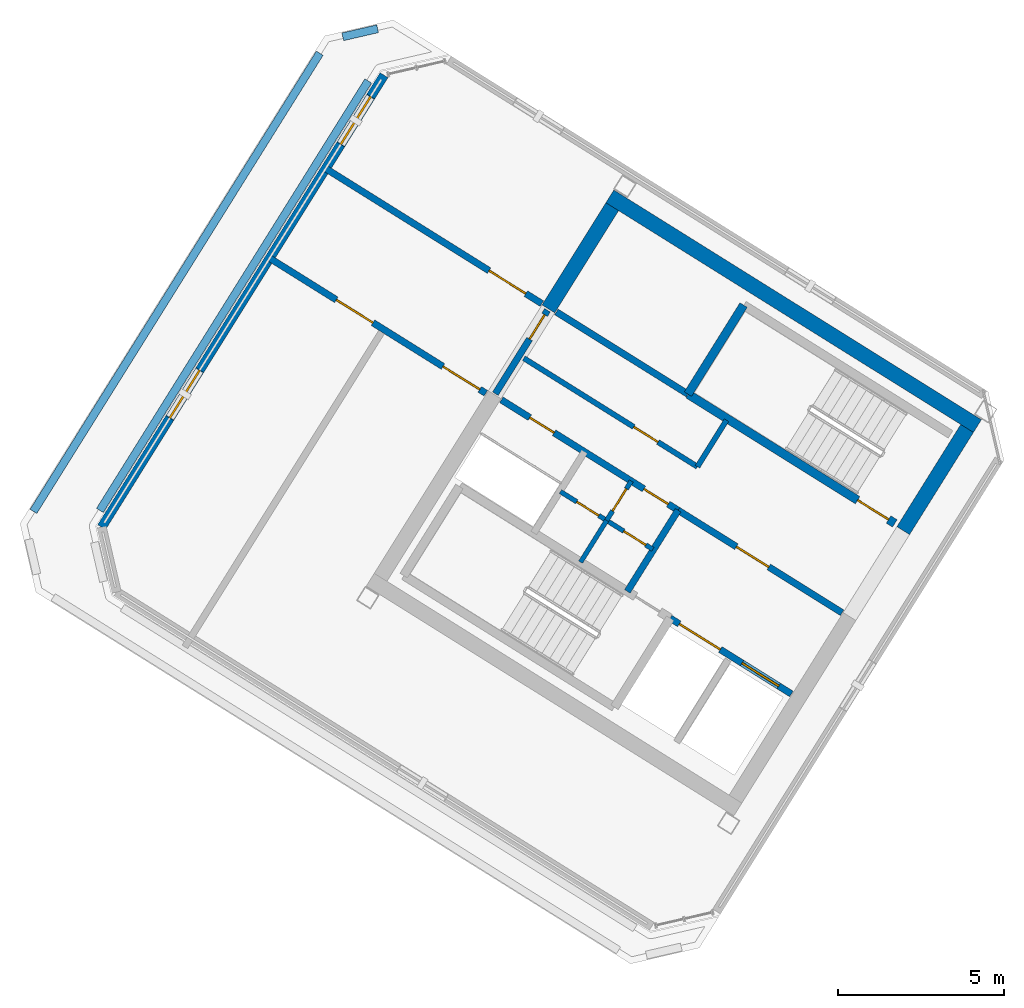
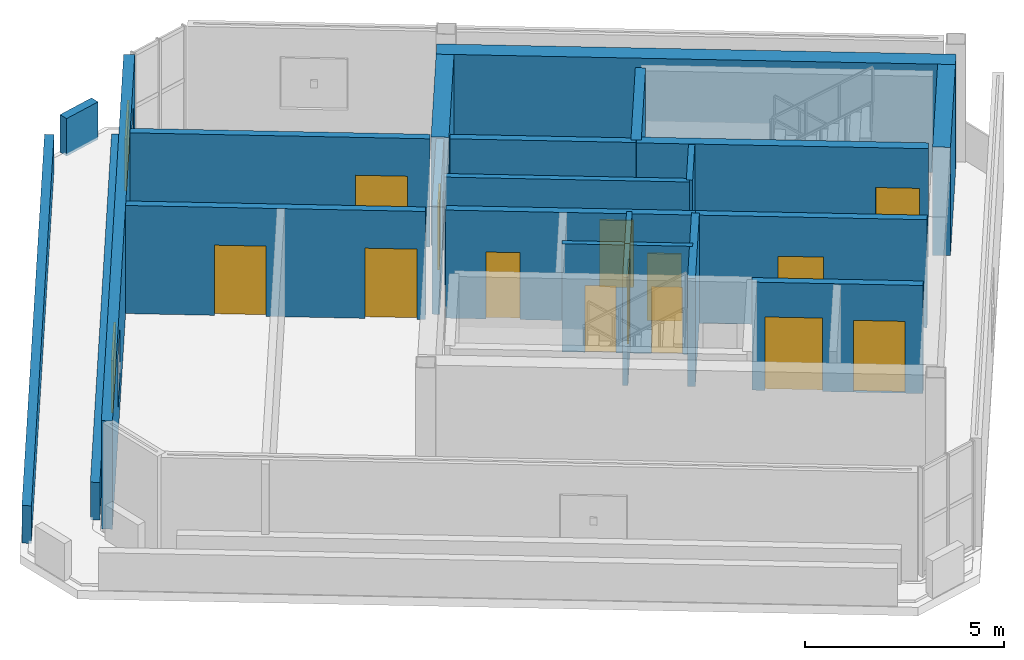
# One storey, part 5 of 9: 22 walls, 14 doors, 2 windows, 16 openings.
"""IFC4 building model written with IfcOpenShell, lengths in metres."""

from ifc_helpers import new_model, si_unit, direction, frame, frame_2d, origin, place, context, subcontext, project, spatial, rectangle, extrude, source, transform, mapped, material, layer, layer_set, type_object, element, fill, save


model = new_model("IFC4")

# Units and contexts
model_context = context("Model", 3, precision=1e-05, world=origin(), true_north=direction((0.0, 1.0)))
body_context = subcontext(model_context, "Body", "Model", "MODEL_VIEW")
ifc_project = project(units=[si_unit("LENGTHUNIT", "METRE"), si_unit("AREAUNIT", "SQUARE_METRE"), si_unit("VOLUMEUNIT", "CUBIC_METRE"), si_unit("PLANEANGLEUNIT", "RADIAN"), si_unit("MASSUNIT", "GRAM", prefix="KILO")], contexts=[model_context])

# Site, building, storey
site_placement = place(None, origin())
site = spatial("IfcSite", under=ifc_project, at=site_placement, CompositionType="ELEMENT")
building_placement = place(site_placement, origin())
building = spatial("IfcBuilding", under=site, at=building_placement, Name="Tlacorven Tower", CompositionType="ELEMENT")
storey_placement = place(building_placement, frame((0.0, 0.0, 306.0)))
storey = spatial("IfcBuildingStorey", under=building, at=storey_placement, Name="L78", CompositionType="ELEMENT", Elevation=306.0)

# Walls
ifc_material_1 = material(Name="Concrete C50/60", Category="concrete")
ifc_layer_1 = layer(ifc_material_1, 0.449951171875)
ifc_layer_set_1 = layer_set([ifc_layer_1], Name="Concrete C50/60")
wall_type_1 = type_object("IfcWallType", Name="WL-COR-450", PredefinedType="SHEAR", material=ifc_layer_set_1)
wall_1_placement = place(storey_placement, frame((40.53076171875, 24.036376953125, 0.0), z_axis=(0.0, 0.0, 1.0), x_axis=(-0.848048787466, 0.529918157905, 0.0)))
element("IfcWall", 1, at=wall_1_placement, inside=storey, type_object=wall_type_1, Name="L78 W core shear wall S1", PredefinedType="SHEAR", context=body_context, shape_type="SweptSolid", body=[
    extrude(rectangle(XDim=13.0400390625, YDim=0.449951171875, at=frame_2d((6.52001953125, 0.0))), origin(), (0.0, 0.0, 1.0), 3.320068359375),
])
for number, where, z_axis, x_axis, name in (
    (2, (40.220703125, 23.96484375, 0.0), (0.0, 0.0, 1.0), (-0.529902075036, -0.848058836916, 0.0), "L78 W core end wall E1.1"),
    (3, (29.543701171875, 30.636474609375, 0.0), (0.0, 0.0, 1.0), (-0.529902075036, -0.848058836916, 0.0), "L78 W core end wall E2.1"),
):
    element("IfcWall", number, at=place(storey_placement, frame(where, z_axis=z_axis, x_axis=x_axis)), inside=storey, type_object=wall_type_1, Name=name, PredefinedType="SHEAR", context=body_context, shape_type="SweptSolid", body=[
        extrude(rectangle(XDim=3.625, YDim=0.449951171875, at=frame_2d((1.8125, 0.0))), origin(), (0.0, 0.0, 1.0), 3.320068359375),
    ])

# Wall, opening, door
ifc_material_2 = material(Name="Gypsum plasterboard acoustic partition", Category="gypsum")
ifc_layer_2 = layer(ifc_material_2, 0.159912109375)
ifc_layer_set_2 = layer_set([ifc_layer_2], Name="Gypsum plasterboard acoustic partition")
wall_type_2 = type_object("IfcWallType", Name="WL-DEM-160", PredefinedType="PARTITIONING", material=ifc_layer_set_2)
wall_2_placement = place(storey_placement, frame((32.108154296875, 22.81396484375, 0.0), z_axis=(0.0, 0.0, 1.0), x_axis=(-0.848047283855, 0.529920564185, 0.0)))
wall_2 = element("IfcWall", 4, at=wall_2_placement, inside=storey, type_object=wall_type_2, Name="L78 partition 11", PredefinedType="PARTITIONING", context=body_context, shape_type="SweptSolid", body=[
    extrude(rectangle(XDim=6.16015625, YDim=0.159912109375, at=frame_2d((3.080078125, 0.0))), origin(), (0.0, 0.0, 1.0), 3.31005859375),
])
opening_1_placement = place(wall_2_placement, frame((1.39990234375, 0.0, 0.0)))
opening_1 = element("IfcOpeningElement", 5, at=opening_1_placement, cuts=wall_2, Name="Opening D19", PredefinedType="OPENING", context=body_context, shape_type="SweptSolid", body=[
    extrude(rectangle(XDim=0.860107421875, YDim=2.050048828125, at=frame_2d((0.43017578125, 1.02490234375))), frame((0.0, 0.08984375, 0.0), z_axis=(0.0, -1.0, 0.0), x_axis=(1.0, 0.0, 0.0)), (0.0, 0.0, 1.0), 0.179931640625),
])
ifc_material_3 = material(Name="Fire-rated steel door assembly", Category="steel")
door_type_1 = type_object("IfcDoorType", Name="DR-RSR-FD60-0860", OperationType="NOTDEFINED", PredefinedType="DOOR", material=ifc_material_3)
shared_shape_1 = source(origin(), body_context, "Body", "SweptSolid", [
    extrude(rectangle(XDim=0.860107421875, YDim=2.050048828125, at=frame_2d((0.43017578125, 1.02490234375))), frame((0.0, 0.02490234375, 0.0), z_axis=(0.0, -1.0, 0.0), x_axis=(1.0, 0.0, 0.0)), (0.0, 0.0, 1.0), 0.050048828125),
])
door_1_placement = place(opening_1_placement, origin())
door_1 = element("IfcDoor", 6, at=door_1_placement, inside=storey, type_object=door_type_1, Name="L78 Freed Core Store Door", OperationType="SINGLE_SWING_LEFT", OverallHeight=2.050048828125, OverallWidth=0.860107421875, PredefinedType="DOOR", context=body_context, shape_type="MappedRepresentation", body=[
    mapped(shared_shape_1, transform((0.0, 0.0, 0.0), scale=1.0)),
])
fill(opening_1, door_1)

# Wall
wall_3_placement = place(storey_placement, frame((32.982421875, 24.21337890625, 0.0), z_axis=(0.0, 0.0, 1.0), x_axis=(-0.529839334948, -0.84809803628, 0.0)))
element("IfcWall", 7, at=wall_3_placement, inside=storey, type_object=wall_type_2, Name="L78 partition 12", PredefinedType="PARTITIONING", context=body_context, shape_type="SweptSolid", body=[
    extrude(rectangle(XDim=1.650146484375, YDim=0.159912109375, at=frame_2d((0.8251953125, 0.0))), origin(), (0.0, 0.0, 1.0), 3.31005859375),
])

# Wall, openings, windows
ifc_material_4 = material(Name="Precast concrete C45/55", Category="concrete")
ifc_layer_3 = layer(ifc_material_4, 0.280029296875)
ifc_layer_set_3 = layer_set([ifc_layer_3], Name="Precast concrete C45/55")
wall_type_3 = type_object("IfcWallType", Name="WL-EXT-280", PredefinedType="STANDARD", material=ifc_layer_set_3)
wall_4_placement = place(storey_placement, frame((14.180419921875, 20.995849609375, 0.0), z_axis=(0.0, 0.0, 1.0), x_axis=(0.529922292894, 0.848046203632, 0.0)))
wall_4 = element("IfcWall", 8, at=wall_4_placement, inside=storey, type_object=wall_type_3, Name="L78 Masonry-Frame Recessed Facade Wall 4", PredefinedType="STANDARD", context=body_context, shape_type="SweptSolid", body=[
    extrude(rectangle(XDim=16.0341796875, YDim=0.280029296875, at=frame_2d((8.01708984375, 0.0))), origin(), (0.0, 0.0, 1.0), 3.320068359375),
])
opening_2_placement = place(wall_4_placement, frame((3.87109375, 0.0, 0.85009765625)))
opening_2 = element("IfcOpeningElement", 9, at=opening_2_placement, cuts=wall_4, Name="Opening WN19", PredefinedType="OPENING", context=body_context, shape_type="SweptSolid", body=[
    extrude(rectangle(XDim=1.699951171875, YDim=1.60009765625, at=frame_2d((0.85009765625, 0.800048828125))), frame((0.0, 0.14990234375, 0.0), z_axis=(0.0, -1.0, 0.0), x_axis=(1.0, 0.0, 0.0)), (0.0, 0.0, 1.0), 0.300048828125),
])
opening_3_placement = place(wall_4_placement, frame((13.577880859375, 0.0, 0.85009765625)))
opening_3 = element("IfcOpeningElement", 10, at=opening_3_placement, cuts=wall_4, Name="Opening WN19", PredefinedType="OPENING", context=body_context, shape_type="SweptSolid", body=[
    extrude(rectangle(XDim=1.699951171875, YDim=1.60009765625, at=frame_2d((0.85009765625, 0.800048828125))), frame((0.0, 0.14990234375, 0.0), z_axis=(0.0, -1.0, 0.0), x_axis=(1.0, 0.0, 0.0)), (0.0, 0.0, 1.0), 0.300048828125),
])
ifc_material_5 = material(Name="Dark solar low-E double glazing in anodised aluminium frame", Category="aluminium")
window_type = type_object("IfcWindowType", Name="WN-CRN-1700X1800", PartitioningType="SINGLE_PANEL", PredefinedType="WINDOW", material=ifc_material_5)
shared_shape_2 = source(origin(), body_context, "Body", "SweptSolid", [
    extrude(rectangle(XDim=1.699951171875, YDim=1.60009765625, at=frame_2d((0.85009765625, 0.800048828125))), frame((0.0, 0.030029296875, 0.0), z_axis=(0.0, -1.0, 0.0), x_axis=(1.0, 0.0, 0.0)), (0.0, 0.0, 1.0), 0.06005859375),
])
window_1_placement = place(opening_2_placement, origin())
window_1 = element("IfcWindow", 11, at=window_1_placement, inside=storey, type_object=window_type, Name="L78 Acoustic Plant Facade Window 4.1", OverallHeight=1.60009765625, OverallWidth=1.699951171875, PartitioningType="SINGLE_PANEL", PredefinedType="WINDOW", context=body_context, shape_type="MappedRepresentation", body=[
    mapped(shared_shape_2, transform((0.0, 0.0, 0.0), scale=1.0)),
])
fill(opening_2, window_1)
window_2_placement = place(opening_3_placement, origin())
window_2 = element("IfcWindow", 12, at=window_2_placement, inside=storey, type_object=window_type, Name="L78 Acoustic Plant Facade Window 4.2", OverallHeight=1.60009765625, OverallWidth=1.699951171875, PartitioningType="SINGLE_PANEL", PredefinedType="WINDOW", context=body_context, shape_type="MappedRepresentation", body=[
    mapped(shared_shape_2, transform((0.0, 0.0, 0.0), scale=1.0)),
])
fill(opening_3, window_2)

# Walls
ifc_layer_4 = layer(ifc_material_4, 0.239990234375)
ifc_layer_set_4 = layer_set([ifc_layer_4], Name="Precast concrete C45/55")
wall_type_4 = type_object("IfcWallType", Name="WL-PAR-240", PredefinedType="PARAPET", material=ifc_layer_set_4)
wall_5_placement = place(storey_placement, frame((12.12939453125, 21.46875, 0.0), z_axis=(0.0, 0.0, 1.0), x_axis=(0.529920637882, 0.848047237804, 0.0)))
element("IfcWall", 13, at=wall_5_placement, inside=storey, type_object=wall_type_4, Name="L78 Stepped Crown Terrace Parapet 1 4", PredefinedType="PARAPET", context=body_context, shape_type="SweptSolid", body=[
    extrude(rectangle(XDim=16.255859375, YDim=0.239990234375, at=frame_2d((8.1279296875, 0.0))), origin(), (0.0, 0.0, 1.0), 1.14990234375),
])
wall_6_placement = place(storey_placement, frame((21.435546875, 35.748046875, 0.0), z_axis=(0.0, 0.0, 1.0), x_axis=(0.974395015602, 0.224842953123, 0.0)))
element("IfcWall", 14, at=wall_6_placement, inside=storey, type_object=wall_type_4, Name="L78 Stepped Crown Terrace Parapet 1 5", PredefinedType="PARAPET", context=body_context, shape_type="SweptSolid", body=[
    extrude(rectangle(XDim=1.0771484375, YDim=0.239990234375, at=frame_2d((0.53857421875, 0.0))), origin(), (0.0, 0.0, 1.0), 1.14990234375),
])
wall_7_placement = place(storey_placement, frame((22.203369140625, 34.419921875, 0.0), z_axis=(0.0, 0.0, 1.0), x_axis=(-0.529922606747, -0.848046007513, 0.0)))
element("IfcWall", 15, at=wall_7_placement, inside=storey, type_object=wall_type_4, Name="L78 Stepped Crown Terrace Parapet 1 6", PredefinedType="PARAPET", context=body_context, shape_type="SweptSolid", body=[
    extrude(rectangle(XDim=15.237548828125, YDim=0.239990234375, at=frame_2d((7.61865234375, 0.0))), origin(), (0.0, 0.0, 1.0), 1.14990234375),
])

# Wall, opening, door
ifc_material_6 = material(Name="Moisture-resistant gypsum plumbing wall", Category="gypsum")
ifc_layer_5 = layer(ifc_material_6, 0.139892578125)
ifc_layer_set_5 = layer_set([ifc_layer_5], Name="Moisture-resistant gypsum plumbing wall")
wall_type_5 = type_object("IfcWallType", Name="WL-PLM-140", PredefinedType="PLUMBINGWALL", material=ifc_layer_set_5)
wall_8_placement = place(storey_placement, frame((30.117431640625, 22.383544921875, 0.0), z_axis=(0.0, 0.0, 1.0), x_axis=(-0.529951914384, -0.848027693204, 0.0)))
wall_8 = element("IfcWall", 16, at=wall_8_placement, inside=storey, type_object=wall_type_5, Name="L78 partition 17", PredefinedType="PLUMBINGWALL", context=body_context, shape_type="SweptSolid", body=[
    extrude(rectangle(XDim=1.39990234375, YDim=0.139892578125, at=frame_2d((0.699951171875, 0.0))), origin(), (0.0, 0.0, 1.0), 3.31005859375),
])
opening_4_placement = place(wall_8_placement, frame((0.280029296875, 0.0, 0.0)))
opening_4 = element("IfcOpeningElement", 17, at=opening_4_placement, cuts=wall_8, Name="Opening D22", PredefinedType="OPENING", context=body_context, shape_type="SweptSolid", body=[
    extrude(rectangle(XDim=0.780029296875, YDim=2.050048828125, at=frame_2d((0.39013671875, 1.02490234375))), frame((0.0, 0.080078125, 0.0), z_axis=(0.0, -1.0, 0.0), x_axis=(1.0, 0.0, 0.0)), (0.0, 0.0, 1.0), 0.159912109375),
])
ifc_material_7 = material(Name="Powder-coated aluminium and timber door", Category="wood")
door_type_2 = type_object("IfcDoorType", Name="DR-INT-WET-0780", OperationType="NOTDEFINED", PredefinedType="DOOR", material=ifc_material_7)
shared_shape_3 = source(origin(), body_context, "Body", "SweptSolid", [
    extrude(rectangle(XDim=0.780029296875, YDim=2.050048828125, at=frame_2d((0.39013671875, 1.02490234375))), frame((0.0, 0.02490234375, 0.0), z_axis=(0.0, -1.0, 0.0), x_axis=(1.0, 0.0, 0.0)), (0.0, 0.0, 1.0), 0.050048828125),
])
door_2_placement = place(opening_4_placement, origin())
door_2 = element("IfcDoor", 18, at=door_2_placement, inside=storey, type_object=door_type_2, Name="L78 door 009", OperationType="SINGLE_SWING_RIGHT", OverallHeight=2.050048828125, OverallWidth=0.780029296875, PredefinedType="DOOR", context=body_context, shape_type="MappedRepresentation", body=[
    mapped(shared_shape_3, transform((0.0, 0.0, 0.0), scale=1.0)),
])
fill(opening_4, door_2)

# Wall
wall_9_placement = place(storey_placement, frame((29.37548828125, 21.1962890625, 0.0), z_axis=(0.0, 0.0, 1.0), x_axis=(-0.529865479138, -0.848081702443, 0.0)))
element("IfcWall", 19, at=wall_9_placement, inside=storey, type_object=wall_type_5, Name="L78 partition 18", PredefinedType="PLUMBINGWALL", context=body_context, shape_type="SweptSolid", body=[
    extrude(rectangle(XDim=1.47998046875, YDim=0.139892578125, at=frame_2d((0.739990234375, 0.0))), origin(), (0.0, 0.0, 1.0), 3.31005859375),
])

# Wall, openings, doors
wall_10_placement = place(storey_placement, frame((30.766357421875, 20.3271484375, 0.0), z_axis=(0.0, 0.0, 1.0), x_axis=(-0.848052663127, 0.529911955482, 0.0)))
wall_10 = element("IfcWall", 20, at=wall_10_placement, inside=storey, type_object=wall_type_5, Name="L78 partition 19", PredefinedType="PLUMBINGWALL", context=body_context, shape_type="SweptSolid", body=[
    extrude(rectangle(XDim=3.27978515625, YDim=0.139892578125, at=frame_2d((1.639892578125, 0.0))), origin(), (0.0, 0.0, 1.0), 3.31005859375),
])
opening_5_placement = place(wall_10_placement, frame((0.25, 0.0, 0.0)))
opening_5 = element("IfcOpeningElement", 21, at=opening_5_placement, cuts=wall_10, Name="Opening D22", PredefinedType="OPENING", context=body_context, shape_type="SweptSolid", body=[
    extrude(rectangle(XDim=0.780029296875, YDim=2.050048828125, at=frame_2d((0.39013671875, 1.02490234375))), frame((0.0, 0.080078125, 0.0), z_axis=(0.0, -1.0, 0.0), x_axis=(1.0, 0.0, 0.0)), (0.0, 0.0, 1.0), 0.159912109375),
])
opening_6_placement = place(wall_10_placement, frame((1.919921875, 0.0, 0.0)))
opening_6 = element("IfcOpeningElement", 22, at=opening_6_placement, cuts=wall_10, Name="Opening D22", PredefinedType="OPENING", context=body_context, shape_type="SweptSolid", body=[
    extrude(rectangle(XDim=0.780029296875, YDim=2.050048828125, at=frame_2d((0.39013671875, 1.02490234375))), frame((0.0, 0.080078125, 0.0), z_axis=(0.0, -1.0, 0.0), x_axis=(1.0, 0.0, 0.0)), (0.0, 0.0, 1.0), 0.159912109375),
])
door_3_placement = place(opening_5_placement, origin())
door_3 = element("IfcDoor", 23, at=door_3_placement, inside=storey, type_object=door_type_2, Name="L78 door 010", OperationType="SINGLE_SWING_LEFT", OverallHeight=2.050048828125, OverallWidth=0.780029296875, PredefinedType="DOOR", context=body_context, shape_type="MappedRepresentation", body=[
    mapped(shared_shape_3, transform((0.0, 0.0, 0.0), scale=1.0)),
])
fill(opening_5, door_3)
door_4_placement = place(opening_6_placement, origin())
door_4 = element("IfcDoor", 24, at=door_4_placement, inside=storey, type_object=door_type_2, Name="L78 door 011", OperationType="SINGLE_SWING_RIGHT", OverallHeight=2.050048828125, OverallWidth=0.780029296875, PredefinedType="DOOR", context=body_context, shape_type="MappedRepresentation", body=[
    mapped(shared_shape_3, transform((0.0, 0.0, 0.0), scale=1.0)),
])
fill(opening_6, door_4)

ifc_material_8 = material(Name="Concrete C40/50", Category="concrete")
ifc_layer_6 = layer(ifc_material_8, 0.199951171875)
ifc_layer_set_6 = layer_set([ifc_layer_6], Name="Concrete C40/50")
wall_type_6 = type_object("IfcWallType", Name="WL-SHF-200", PredefinedType="STANDARD", material=ifc_layer_set_6)
wall_11_placement = place(storey_placement, frame((34.93310546875, 15.978271484375, 0.0), z_axis=(0.0, 0.0, 1.0), x_axis=(-0.848055739377, 0.529907032327, 0.0)))
wall_11 = element("IfcWall", 25, at=wall_11_placement, inside=storey, type_object=wall_type_6, Name="L78 Core W Firefighting Lift Shaft Front Wall", PredefinedType="STANDARD", context=body_context, shape_type="SweptSolid", body=[
    extrude(rectangle(XDim=4.298095703125, YDim=0.199951171875, at=frame_2d((2.14892578125, 0.0))), origin(), (0.0, 0.0, 1.0), 3.31005859375),
])
opening_7_placement = place(wall_11_placement, frame((0.447998046875, 0.0, 0.0)))
opening_7 = element("IfcOpeningElement", 26, at=opening_7_placement, cuts=wall_11, Name="Opening LD03", PredefinedType="OPENING", context=body_context, shape_type="SweptSolid", body=[
    extrude(rectangle(XDim=1.300048828125, YDim=2.199951171875, at=frame_2d((0.64990234375, 1.10009765625))), frame((0.0, 0.10986328125, 0.0), z_axis=(0.0, -1.0, 0.0), x_axis=(1.0, 0.0, 0.0)), (0.0, 0.0, 1.0), 0.219970703125),
])
opening_8_placement = place(wall_11_placement, frame((2.52294921875, 0.0, 0.0)))
opening_8 = element("IfcOpeningElement", 27, at=opening_8_placement, cuts=wall_11, Name="Opening LD04", PredefinedType="OPENING", context=body_context, shape_type="SweptSolid", body=[
    extrude(rectangle(XDim=1.449951171875, YDim=2.25, at=frame_2d((0.72509765625, 1.125))), frame((0.0, 0.10986328125, 0.0), z_axis=(0.0, -1.0, 0.0), x_axis=(1.0, 0.0, 0.0)), (0.0, 0.0, 1.0), 0.219970703125),
])
door_type_3 = type_object("IfcDoorType", Name="DR-LFT-SLID-1300", OperationType="DOUBLE_DOOR_SLIDING", PredefinedType="DOOR", material=ifc_material_3)
shared_shape_4 = source(origin(), body_context, "Body", "SweptSolid", [
    extrude(rectangle(XDim=1.300048828125, YDim=2.199951171875, at=frame_2d((0.64990234375, 1.10009765625))), frame((0.0, 0.02490234375, 0.0), z_axis=(0.0, -1.0, 0.0), x_axis=(1.0, 0.0, 0.0)), (0.0, 0.0, 1.0), 0.050048828125),
])
door_5_placement = place(opening_7_placement, origin())
door_5 = element("IfcDoor", 28, at=door_5_placement, inside=storey, type_object=door_type_3, Name="L78 Lift FFL-W1 Sliding Landing Door", OperationType="DOUBLE_DOOR_SLIDING", OverallHeight=2.199951171875, OverallWidth=1.300048828125, PredefinedType="DOOR", context=body_context, shape_type="MappedRepresentation", body=[
    mapped(shared_shape_4, transform((0.0, 0.0, 0.0), scale=1.0)),
])
fill(opening_7, door_5)
door_type_4 = type_object("IfcDoorType", Name="DR-LFT-SLID-1450", OperationType="DOUBLE_DOOR_SLIDING", PredefinedType="DOOR", material=ifc_material_3)
shared_shape_5 = source(origin(), body_context, "Body", "SweptSolid", [
    extrude(rectangle(XDim=1.449951171875, YDim=2.25, at=frame_2d((0.72509765625, 1.125))), frame((0.0, 0.02490234375, 0.0), z_axis=(0.0, -1.0, 0.0), x_axis=(1.0, 0.0, 0.0)), (0.0, 0.0, 1.0), 0.050048828125),
])
door_6_placement = place(opening_8_placement, origin())
door_6 = element("IfcDoor", 29, at=door_6_placement, inside=storey, type_object=door_type_4, Name="L78 Lift SVL-W1 Sliding Landing Door", OperationType="DOUBLE_DOOR_SLIDING", OverallHeight=2.25, OverallWidth=1.449951171875, PredefinedType="DOOR", context=body_context, shape_type="MappedRepresentation", body=[
    mapped(shared_shape_5, transform((0.0, 0.0, 0.0), scale=1.0)),
])
fill(opening_8, door_6)

# Wall, opening, door
wall_12_placement = place(storey_placement, frame((36.459228515625, 18.420654296875, 0.0), z_axis=(0.0, 0.0, 1.0), x_axis=(-0.848059591691, 0.529900867089, 0.0)))
wall_12 = element("IfcWall", 30, at=wall_12_placement, inside=storey, type_object=wall_type_6, Name="L78 Core W Smoke Lobby Wall", PredefinedType="STANDARD", context=body_context, shape_type="SweptSolid", body=[
    extrude(rectangle(XDim=5.818115234375, YDim=0.199951171875, at=frame_2d((2.9091796875, 0.0))), origin(), (0.0, 0.0, 1.0), 3.31005859375),
])
opening_9_placement = place(wall_12_placement, frame((2.597900390625, 0.0, 0.0)))
opening_9 = element("IfcOpeningElement", 31, at=opening_9_placement, cuts=wall_12, Name="Opening D09", PredefinedType="OPENING", context=body_context, shape_type="SweptSolid", body=[
    extrude(rectangle(XDim=1.14990234375, YDim=2.10009765625, at=frame_2d((0.574951171875, 1.050048828125))), frame((0.0, 0.10986328125, 0.0), z_axis=(0.0, -1.0, 0.0), x_axis=(1.0, 0.0, 0.0)), (0.0, 0.0, 1.0), 0.219970703125),
])
door_type_5 = type_object("IfcDoorType", Name="DR-FFL-FD60-1150", OperationType="NOTDEFINED", PredefinedType="DOOR", material=ifc_material_3)
shared_shape_6 = source(origin(), body_context, "Body", "SweptSolid", [
    extrude(rectangle(XDim=1.14990234375, YDim=2.10009765625, at=frame_2d((0.574951171875, 1.050048828125))), frame((0.0, 0.02490234375, 0.0), z_axis=(0.0, -1.0, 0.0), x_axis=(1.0, 0.0, 0.0)), (0.0, 0.0, 1.0), 0.050048828125),
])
door_7_placement = place(opening_9_placement, origin())
door_7 = element("IfcDoor", 32, at=door_7_placement, inside=storey, type_object=door_type_5, Name="L78 Firefighting Lobby W Fire Door", OperationType="SINGLE_SWING_LEFT", OverallHeight=2.10009765625, OverallWidth=1.14990234375, PredefinedType="DOOR", context=body_context, shape_type="MappedRepresentation", body=[
    mapped(shared_shape_6, transform((0.0, 0.0, 0.0), scale=1.0)),
])
fill(opening_9, door_7)

# Walls
wall_13_placement = place(storey_placement, frame((31.82177734375, 24.99755859375, 0.0), z_axis=(0.0, 0.0, 1.0), x_axis=(-0.848054125777, 0.529909614701, 0.0)))
element("IfcWall", 33, at=wall_13_placement, inside=storey, type_object=wall_type_6, Name="L78 Core W South Lift Shaft Wall", PredefinedType="STANDARD", context=body_context, shape_type="SweptSolid", body=[
    extrude(rectangle(XDim=4.66796875, YDim=0.199951171875, at=frame_2d((2.333984375, 0.0))), origin(), (0.0, 0.0, 1.0), 3.31005859375),
])
wall_14_placement = place(storey_placement, frame((31.525146484375, 21.503662109375, 0.0), z_axis=(0.0, 0.0, 1.0), x_axis=(-0.529907497854, -0.848055448493, 0.0)))
element("IfcWall", 34, at=wall_14_placement, inside=storey, type_object=wall_type_6, Name="L78 partition 14", PredefinedType="STANDARD", context=body_context, shape_type="SweptSolid", body=[
    extrude(rectangle(XDim=2.8798828125, YDim=0.199951171875, at=frame_2d((1.43994140625, 0.0))), origin(), (0.0, 0.0, 1.0), 3.31005859375),
])

# Wall, openings, doors
wall_15_placement = place(storey_placement, frame((31.525146484375, 21.503662109375, 0.0), z_axis=(0.0, 0.0, 1.0), x_axis=(-0.848042066329, 0.529928913853, 0.0)))
wall_15 = element("IfcWall", 35, at=wall_15_placement, inside=storey, type_object=wall_type_6, Name="L78 Core W North Service Wall", PredefinedType="STANDARD", context=body_context, shape_type="SweptSolid", body=[
    extrude(rectangle(XDim=6.267822265625, YDim=0.199951171875, at=frame_2d((3.1337890625, 0.0))), origin(), (0.0, 0.0, 1.0), 3.31005859375),
])
opening_10_placement = place(wall_15_placement, frame((4.39990234375, 0.0, 0.0)))
opening_10 = element("IfcOpeningElement", 36, at=opening_10_placement, cuts=wall_15, Name="Opening D19", PredefinedType="OPENING", context=body_context, shape_type="SweptSolid", body=[
    extrude(rectangle(XDim=0.860107421875, YDim=2.050048828125, at=frame_2d((0.43017578125, 1.02490234375))), frame((0.0, 0.10986328125, 0.0), z_axis=(0.0, -1.0, 0.0), x_axis=(1.0, 0.0, 0.0)), (0.0, 0.0, 1.0), 0.219970703125),
])
opening_11_placement = place(wall_15_placement, frame((0.35009765625, 0.0, 0.0)))
opening_11 = element("IfcOpeningElement", 37, at=opening_11_placement, cuts=wall_15, Name="Opening D19", PredefinedType="OPENING", context=body_context, shape_type="SweptSolid", body=[
    extrude(rectangle(XDim=0.860107421875, YDim=2.050048828125, at=frame_2d((0.43017578125, 1.02490234375))), frame((0.0, 0.10986328125, 0.0), z_axis=(0.0, -1.0, 0.0), x_axis=(1.0, 0.0, 0.0)), (0.0, 0.0, 1.0), 0.219970703125),
])
door_8_placement = place(opening_10_placement, frame((0.860107421875, 0.0, 0.0), z_axis=(0.0, 0.0, 1.0), x_axis=(-1.0, 0.0, 0.0)))
door_8 = element("IfcDoor", 38, at=door_8_placement, inside=storey, type_object=door_type_1, Name="L78 Electrical Riser Access Door W", OperationType="SINGLE_SWING_RIGHT", OverallHeight=2.050048828125, OverallWidth=0.860107421875, PredefinedType="DOOR", context=body_context, shape_type="MappedRepresentation", body=[
    mapped(shared_shape_1, transform((0.0, 0.0, 0.0), scale=1.0)),
])
fill(opening_10, door_8)
door_9_placement = place(opening_11_placement, frame((0.860107421875, 0.0, 0.0), z_axis=(0.0, 0.0, 1.0), x_axis=(-1.0, 0.0, 0.0)))
door_9 = element("IfcDoor", 39, at=door_9_placement, inside=storey, type_object=door_type_1, Name="L78 Cleaning Room Access Door W", OperationType="SINGLE_SWING_LEFT", OverallHeight=2.050048828125, OverallWidth=0.860107421875, PredefinedType="DOOR", context=body_context, shape_type="MappedRepresentation", body=[
    mapped(shared_shape_1, transform((0.0, 0.0, 0.0), scale=1.0)),
])
fill(opening_11, door_9)

# Wall, opening, door
wall_16_placement = place(storey_placement, frame((27.59619140625, 27.52001953125, 0.0), z_axis=(0.0, 0.0, 1.0), x_axis=(-0.529865479138, -0.848081702443, 0.0)))
wall_16 = element("IfcWall", 40, at=wall_16_placement, inside=storey, type_object=wall_type_6, Name="L78 partition 20", PredefinedType="STANDARD", context=body_context, shape_type="SweptSolid", body=[
    extrude(rectangle(XDim=2.9599609375, YDim=0.199951171875, at=frame_2d((1.47998046875, 0.0))), origin(), (0.0, 0.0, 1.0), 3.31005859375),
])
opening_12_placement = place(wall_16_placement, frame((0.159912109375, 0.0, 0.0)))
opening_12 = element("IfcOpeningElement", 41, at=opening_12_placement, cuts=wall_16, Name="Opening D19", PredefinedType="OPENING", context=body_context, shape_type="SweptSolid", body=[
    extrude(rectangle(XDim=0.860107421875, YDim=2.050048828125, at=frame_2d((0.43017578125, 1.02490234375))), frame((0.0, 0.10986328125, 0.0), z_axis=(0.0, -1.0, 0.0), x_axis=(1.0, 0.0, 0.0)), (0.0, 0.0, 1.0), 0.219970703125),
])
door_10_placement = place(opening_12_placement, origin())
door_10 = element("IfcDoor", 42, at=door_10_placement, inside=storey, type_object=door_type_1, Name="L78 door 012", OperationType="SINGLE_SWING_LEFT", OverallHeight=2.050048828125, OverallWidth=0.860107421875, PredefinedType="DOOR", context=body_context, shape_type="MappedRepresentation", body=[
    mapped(shared_shape_1, transform((0.0, 0.0, 0.0), scale=1.0)),
])
fill(opening_12, door_10)

# Wall, openings, doors
wall_17_placement = place(storey_placement, frame((25.73974609375, 25.024658203125, 0.0), z_axis=(0.0, 0.0, 1.0), x_axis=(-0.848051891756, 0.529913189956, 0.0)))
wall_17 = element("IfcWall", 43, at=wall_17_placement, inside=storey, type_object=wall_type_6, Name="L78 partition 21", PredefinedType="STANDARD", context=body_context, shape_type="SweptSolid", body=[
    extrude(rectangle(XDim=7.677978515625, YDim=0.199951171875, at=frame_2d((3.8388671875, 0.0))), origin(), (0.0, 0.0, 1.0), 3.31005859375),
])
opening_13_placement = place(wall_17_placement, frame((0.218017578125, 0.0, 0.0)))
opening_13 = element("IfcOpeningElement", 44, at=opening_13_placement, cuts=wall_17, Name="Opening D18", PredefinedType="OPENING", context=body_context, shape_type="SweptSolid", body=[
    extrude(rectangle(XDim=1.300048828125, YDim=2.14990234375, at=frame_2d((0.64990234375, 1.074951171875))), frame((0.0, 0.10986328125, 0.0), z_axis=(0.0, -1.0, 0.0), x_axis=(1.0, 0.0, 0.0)), (0.0, 0.0, 1.0), 0.219970703125),
])
opening_14_placement = place(wall_17_placement, frame((4.0029296875, 0.0, 0.0)))
opening_14 = element("IfcOpeningElement", 45, at=opening_14_placement, cuts=wall_17, Name="Opening D18", PredefinedType="OPENING", context=body_context, shape_type="SweptSolid", body=[
    extrude(rectangle(XDim=1.300048828125, YDim=2.14990234375, at=frame_2d((0.64990234375, 1.074951171875))), frame((0.0, 0.10986328125, 0.0), z_axis=(0.0, -1.0, 0.0), x_axis=(1.0, 0.0, 0.0)), (0.0, 0.0, 1.0), 0.219970703125),
])
door_type_6 = type_object("IfcDoorType", Name="DR-MEP-FD60-1300", OperationType="DOUBLE_DOOR_SINGLE_SWING", PredefinedType="DOOR", material=ifc_material_3)
shared_shape_7 = source(origin(), body_context, "Body", "SweptSolid", [
    extrude(rectangle(XDim=1.300048828125, YDim=2.14990234375, at=frame_2d((0.64990234375, 1.074951171875))), frame((0.0, 0.02490234375, 0.0), z_axis=(0.0, -1.0, 0.0), x_axis=(1.0, 0.0, 0.0)), (0.0, 0.0, 1.0), 0.050048828125),
])
door_11_placement = place(opening_13_placement, origin())
door_11 = element("IfcDoor", 46, at=door_11_placement, inside=storey, type_object=door_type_6, Name="L78 door 013", OperationType="DOUBLE_DOOR_SINGLE_SWING", OverallHeight=2.14990234375, OverallWidth=1.300048828125, PredefinedType="DOOR", context=body_context, shape_type="MappedRepresentation", body=[
    mapped(shared_shape_7, transform((0.0, 0.0, 0.0), scale=1.0)),
])
fill(opening_13, door_11)
door_12_placement = place(opening_14_placement, origin())
door_12 = element("IfcDoor", 47, at=door_12_placement, inside=storey, type_object=door_type_6, Name="L78 door 014", OperationType="DOUBLE_DOOR_SINGLE_SWING", OverallHeight=2.14990234375, OverallWidth=1.300048828125, PredefinedType="DOOR", context=body_context, shape_type="MappedRepresentation", body=[
    mapped(shared_shape_7, transform((0.0, 0.0, 0.0), scale=1.0)),
])
fill(opening_14, door_12)

# Wall, opening, door
wall_18_placement = place(storey_placement, frame((27.425048828125, 27.721435546875, 0.0), z_axis=(0.0, 0.0, 1.0), x_axis=(-0.848060820519, 0.529898900452, 0.0)))
wall_18 = element("IfcWall", 48, at=wall_18_placement, inside=storey, type_object=wall_type_6, Name="L78 partition 23", PredefinedType="STANDARD", context=body_context, shape_type="SweptSolid", body=[
    extrude(rectangle(XDim=7.677978515625, YDim=0.199951171875, at=frame_2d((3.8388671875, 0.0))), origin(), (0.0, 0.0, 1.0), 3.31005859375),
])
opening_15_placement = place(wall_18_placement, frame((0.568115234375, 0.0, 0.0)))
opening_15 = element("IfcOpeningElement", 49, at=opening_15_placement, cuts=wall_18, Name="Opening D18", PredefinedType="OPENING", context=body_context, shape_type="SweptSolid", body=[
    extrude(rectangle(XDim=1.300048828125, YDim=2.14990234375, at=frame_2d((0.64990234375, 1.074951171875))), frame((0.0, 0.10986328125, 0.0), z_axis=(0.0, -1.0, 0.0), x_axis=(1.0, 0.0, 0.0)), (0.0, 0.0, 1.0), 0.219970703125),
])
door_13_placement = place(opening_15_placement, frame((1.300048828125, 0.0, 0.0), z_axis=(0.0, 0.0, 1.0), x_axis=(-1.0, 0.0, 0.0)))
door_13 = element("IfcDoor", 50, at=door_13_placement, inside=storey, type_object=door_type_6, Name="L78 door 015", OperationType="DOUBLE_DOOR_SINGLE_SWING", OverallHeight=2.14990234375, OverallWidth=1.300048828125, PredefinedType="DOOR", context=body_context, shape_type="MappedRepresentation", body=[
    mapped(shared_shape_7, transform((0.0, 0.0, 0.0), scale=1.0)),
])
fill(opening_15, door_13)

ifc_layer_7 = layer(ifc_material_1, 0.260009765625)
ifc_layer_set_7 = layer_set([ifc_layer_7], Name="Concrete C50/60")
wall_type_7 = type_object("IfcWallType", Name="WL-STW-260", PredefinedType="SHEAR", material=ifc_layer_set_7)
wall_19_placement = place(storey_placement, frame((38.04638671875, 21.10791015625, 0.0), z_axis=(0.0, 0.0, 1.0), x_axis=(-0.848054434086, 0.529909121291, 0.0)))
wall_19 = element("IfcWall", 51, at=wall_19_placement, inside=storey, type_object=wall_type_7, Name="L78 Stair W2 Lobby Shear Wall", PredefinedType="SHEAR", context=body_context, shape_type="SweptSolid", body=[
    extrude(rectangle(XDim=7.330078125, YDim=0.260009765625, at=frame_2d((3.6650390625, 0.0))), origin(), (0.0, 0.0, 1.0), 3.320068359375),
])
opening_16_placement = place(wall_19_placement, frame((0.219970703125, 0.0, 0.0)))
opening_16 = element("IfcOpeningElement", 52, at=opening_16_placement, cuts=wall_19, Name="Opening D07", PredefinedType="OPENING", context=body_context, shape_type="SweptSolid", body=[
    extrude(rectangle(XDim=1.10009765625, YDim=2.10009765625, at=frame_2d((0.550048828125, 1.050048828125))), frame((0.0, 0.14013671875, 0.0), z_axis=(0.0, -1.0, 0.0), x_axis=(1.0, 0.0, 0.0)), (0.0, 0.0, 1.0), 0.280029296875),
])
door_type_7 = type_object("IfcDoorType", Name="DR-STR-FD90-1100", OperationType="NOTDEFINED", PredefinedType="DOOR", material=ifc_material_3)
shared_shape_8 = source(origin(), body_context, "Body", "SweptSolid", [
    extrude(rectangle(XDim=1.10009765625, YDim=2.10009765625, at=frame_2d((0.550048828125, 1.050048828125))), frame((0.0, 0.02490234375, 0.0), z_axis=(0.0, -1.0, 0.0), x_axis=(1.0, 0.0, 0.0)), (0.0, 0.0, 1.0), 0.050048828125),
])
door_14_placement = place(opening_16_placement, origin())
door_14 = element("IfcDoor", 53, at=door_14_placement, inside=storey, type_object=door_type_7, Name="L78 Exit Stair W2 Fire Door", OperationType="SINGLE_SWING_RIGHT", OverallHeight=2.10009765625, OverallWidth=1.10009765625, PredefinedType="DOOR", context=body_context, shape_type="MappedRepresentation", body=[
    mapped(shared_shape_8, transform((0.0, 0.0, 0.0), scale=1.0)),
])
fill(opening_16, door_14)

# Wall
wall_20_placement = place(storey_placement, frame((33.496337890625, 27.677490234375, 0.0), z_axis=(0.0, 0.0, 1.0), x_axis=(-0.529908658664, -0.84805472316, 0.0)))
element("IfcWall", 54, at=wall_20_placement, inside=storey, type_object=wall_type_7, Name="L78 Stair W2 East Shear Wall", PredefinedType="SHEAR", context=body_context, shape_type="SweptSolid", body=[
    extrude(rectangle(XDim=3.16015625, YDim=0.260009765625, at=frame_2d((1.580078125, 0.0))), origin(), (0.0, 0.0, 1.0), 3.320068359375),
])

save(model, "model.ifc")
